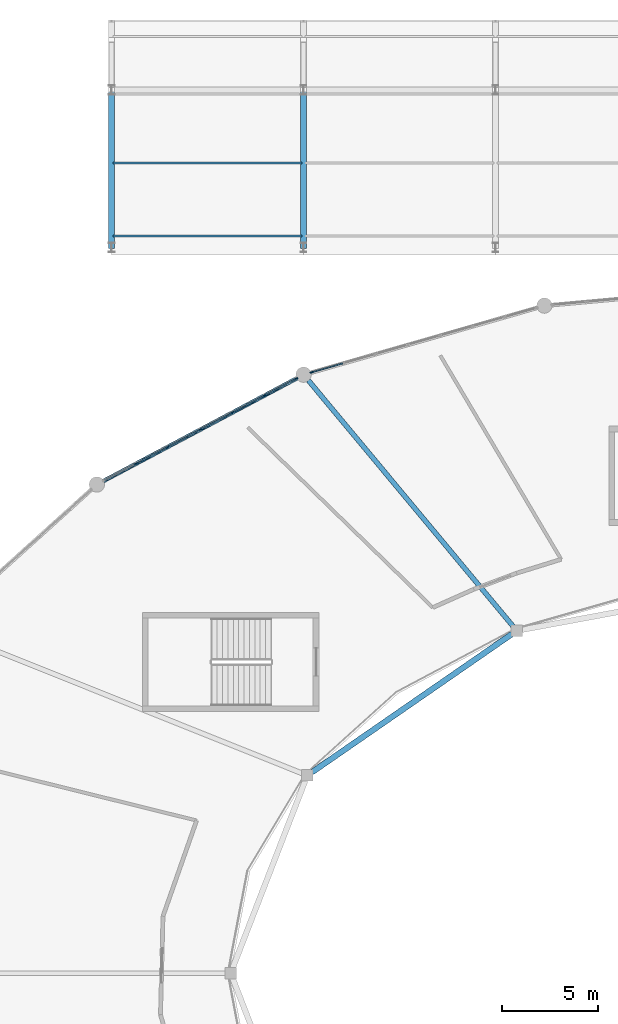
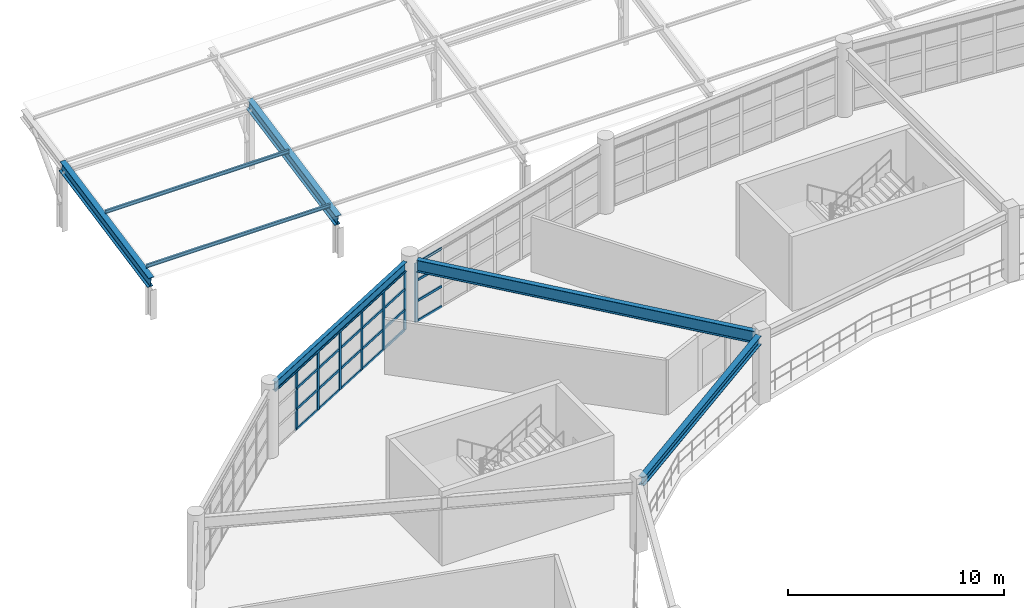
# One storey, part 36 of 100: 34 members, 5 beams, 2 elements without a shape of their own.
"""IFC4 building model written with IfcOpenShell, lengths in metres."""

import ifcopenshell
import ifcopenshell.guid

model = None  # the IFC model being written
_history = None  # IfcOwnerHistory: only IFC2X3 demands one
_inside = {}  # id of a spatial element -> (the spatial element, [elements in it])
_under = {}  # id of a project, library or spatial element -> (it, [spatial elements below it])
_declared = {}  # id of a project -> (the project, [libraries it declares])
_typed = {}  # id of a type object -> (the type object, [elements of that type])
_made_of = {}  # id of a material, layer set ... -> (it, [elements and type objects made of it])


def new_model(schema):
    """Start an empty IFC model of exactly this schema.

    Asked for "IFC4X3", IfcOpenShell would pick the latest addendum, in which some entities
    have other attributes; the version numbers below select the first issue.
    IFC2X3 requires an IfcOwnerHistory on every rooted entity: one is made here for all.
    """
    global model, _history
    if schema == "IFC4X3":
        model = ifcopenshell.file(schema_version=(4, 3, 0, 0))
    else:
        model = ifcopenshell.file(schema=schema)
    _inside.clear()
    _under.clear()
    _declared.clear()
    _typed.clear()
    _made_of.clear()
    _history = None
    if model.schema == "IFC2X3":
        org = make("IfcOrganization", Name="unknown")
        user = make(
            "IfcPersonAndOrganization",
            ThePerson=make("IfcPerson", FamilyName="unknown"),
            TheOrganization=org,
        )
        app = make(
            "IfcApplication",
            ApplicationDeveloper=org,
            Version="unknown",
            ApplicationFullName="unknown",
            ApplicationIdentifier="unknown",
        )
        _history = make(
            "IfcOwnerHistory",
            OwningUser=user,
            OwningApplication=app,
            ChangeAction="ADDED",
            CreationDate=0,
        )
    return model


def make(cls, **values):
    """One entity of the class cls with the attributes given. An attribute that is None is left unset."""
    return model.create_entity(
        cls, **{name: value for name, value in values.items() if value is not None}
    )


def rooted(cls, **values):
    """An entity with a GlobalId (a new one), such as an element, a storey or a relation."""
    return make(cls, GlobalId=ifcopenshell.guid.new(), OwnerHistory=_history, **values)


def si_unit(unit_type, name, prefix=None):
    """IfcSIUnit, for example si_unit("LENGTHUNIT", "METRE", prefix="MILLI")."""
    return make("IfcSIUnit", UnitType=unit_type, Prefix=prefix, Name=name)


def assignment(units):
    """IfcUnitAssignment: the units of a project."""
    return None if units is None else make("IfcUnitAssignment", Units=units)


def point(xyz):
    """IfcCartesianPoint."""
    return None if xyz is None else make("IfcCartesianPoint", Coordinates=xyz)


def direction(xyz):
    """IfcDirection."""
    return None if xyz is None else make("IfcDirection", DirectionRatios=xyz)


def frame(location, z_axis=None, x_axis=None):
    """IfcAxis2Placement3D, a coordinate frame: its origin and axes. An axis left out is left unset."""
    return make(
        "IfcAxis2Placement3D",
        Location=point(location),
        Axis=direction(z_axis),
        RefDirection=direction(x_axis),
    )


def frame_2d(location, x_axis=None):
    """IfcAxis2Placement2D, a coordinate frame in the plane: its origin and x axis."""
    return make(
        "IfcAxis2Placement2D", Location=point(location), RefDirection=direction(x_axis)
    )


def origin():
    """The frame at (0, 0, 0) with its axes left unset."""
    return frame((0.0, 0.0, 0.0))


def origin_2d():
    """The frame at (0, 0) in the plane with its x axis left unset."""
    return frame_2d((0.0, 0.0))


def place(relative_to, where):
    """IfcLocalPlacement: puts the frame where relative to a parent placement (None: the world)."""
    return make(
        "IfcLocalPlacement", PlacementRelTo=relative_to, RelativePlacement=where
    )


def context(
    kind, dimensions, precision=None, world=None, true_north=None, identifier=None
):
    """IfcGeometricRepresentationContext, for example the 3D "Model" context."""
    return make(
        "IfcGeometricRepresentationContext",
        ContextIdentifier=identifier,
        ContextType=kind,
        CoordinateSpaceDimension=dimensions,
        Precision=precision,
        WorldCoordinateSystem=world,
        TrueNorth=true_north,
    )


def subcontext(parent, identifier, kind, view, scale=None):
    """IfcGeometricRepresentationSubContext, for example "Body" below "Model"."""
    return make(
        "IfcGeometricRepresentationSubContext",
        ContextIdentifier=identifier,
        ContextType=kind,
        ParentContext=parent,
        TargetScale=scale,
        TargetView=view,
    )


def project(units=None, contexts=None):
    """IfcProject with its units and contexts."""
    return rooted(
        "IfcProject",
        Name="project",
        RepresentationContexts=contexts,
        UnitsInContext=assignment(units),
    )


def spatial(cls, under=None, at=None, **own):
    """A site, building, storey or space (cls), placed at a placement, below another one or the project."""
    s = rooted(cls, ObjectPlacement=at, **own)
    if under is not None:
        _under.setdefault(under.id(), (under, []))[1].append(s)
    return s


def profile(cls, at=None, kind="AREA", **sizes):
    """A parametric profile (cls). Its sizes go by their IFC names, for example OverallWidth=200.0."""
    return make(cls, ProfileType=kind, Position=at, **sizes)


def rectangle(**sizes):
    """IfcRectangleProfileDef."""
    return profile("IfcRectangleProfileDef", **sizes)


def i_section(**sizes):
    """IfcIShapeProfileDef."""
    return profile("IfcIShapeProfileDef", **sizes)


def extrude(swept, where, along, depth):
    """IfcExtrudedAreaSolid: the profile swept, set in the frame where, extruded along a direction by depth."""
    return make(
        "IfcExtrudedAreaSolid",
        SweptArea=swept,
        Position=where,
        ExtrudedDirection=direction(along),
        Depth=depth,
    )


def shape(context_of_items, identifier, shape_type, items):
    """IfcShapeRepresentation: the items that make up one representation, for example the "Body"."""
    return make(
        "IfcShapeRepresentation",
        ContextOfItems=context_of_items,
        RepresentationIdentifier=identifier,
        RepresentationType=shape_type,
        Items=items,
    )


def material(Name=None, Category=None):
    """IfcMaterial."""
    return make("IfcMaterial", Name=Name, Category=Category)


def layer(
    of_material, thickness, ventilated=None, Name=None, Category=None, Priority=None
):
    """IfcMaterialLayer: one layer of a wall or slab, of a material (None: an air gap)."""
    return make(
        "IfcMaterialLayer",
        Material=of_material,
        LayerThickness=thickness,
        IsVentilated=ventilated,
        Name=Name,
        Category=Category,
        Priority=Priority,
    )


def layer_set(layers, Name=None):
    """IfcMaterialLayerSet."""
    return make("IfcMaterialLayerSet", MaterialLayers=layers, LayerSetName=Name)


def material_profile(
    of_material, cross_section, Name=None, Category=None, Priority=None
):
    """IfcMaterialProfile: a cross section and its material."""
    return make(
        "IfcMaterialProfile",
        Name=Name,
        Material=of_material,
        Profile=cross_section,
        Priority=Priority,
        Category=Category,
    )


def profile_set(profiles, Name=None, composite=None):
    """IfcMaterialProfileSet."""
    return make(
        "IfcMaterialProfileSet",
        Name=Name,
        MaterialProfiles=profiles,
        CompositeProfile=composite,
    )


def made_of(thing, what):
    """Note that an element or type object is made of a material, layer set ...; save() writes the relation."""
    if what is not None:
        _made_of.setdefault(what.id(), (what, []))[1].append(thing)
    return thing


def type_object(cls, material=None, **own):
    """A type object (cls), such as IfcWallType, which elements share."""
    return made_of(rooted(cls, **own), material)


def element(
    cls,
    number,
    at=None,
    inside=None,
    cuts=None,
    type_object=None,
    material=None,
    context=None,
    identifier="Body",
    shape_type=None,
    held_by="IfcProductDefinitionShape",
    body=None,
    shapes=None,
    **own,
):
    """One element of the class cls, such as IfcWall. Its Tag is "e" and its number.

    at: its placement. inside: the storey or other place that contains it. cuts: it is an
    opening in that element (IfcRelVoidsElement). A single representation is given by context,
    identifier, shape_type and body (its items); several are given by shapes. held_by: the class
    of the entity that holds the representations. save() writes the other relations.
    """
    e = rooted(cls, Tag="e%d" % number, ObjectPlacement=at, **own)
    if body is not None:
        shapes = [shape(context, identifier, shape_type, body)]
    if shapes is not None:
        e.Representation = make(held_by, Representations=shapes)
    if inside is not None:
        _inside.setdefault(inside.id(), (inside, []))[1].append(e)
    if cuts is not None:
        rooted(
            "IfcRelVoidsElement", RelatingBuildingElement=cuts, RelatedOpeningElement=e
        )
    if type_object is not None:
        _typed.setdefault(type_object.id(), (type_object, []))[1].append(e)
    return made_of(e, material)


def aggregate(whole, parts):
    """IfcRelAggregates: a whole, such as a stair, and the parts it consists of."""
    return rooted("IfcRelAggregates", RelatingObject=whole, RelatedObjects=parts)


def save(model, path):
    """Write the relations noted so far, then the file.

    IfcRelAggregates (storeys below a building ...), IfcRelContainedInSpatialStructure (elements
    in a storey), IfcRelDefinesByType, IfcRelAssociatesMaterial and IfcRelDeclares: one each for
    every whole, place, type object, material and project.
    """
    for whole, parts in _under.values():
        aggregate(whole, parts)
    for where, things in _inside.values():
        rooted(
            "IfcRelContainedInSpatialStructure",
            RelatedElements=things,
            RelatingStructure=where,
        )
    for kind, things in _typed.values():
        rooted("IfcRelDefinesByType", RelatedObjects=things, RelatingType=kind)
    for what, things in _made_of.values():
        rooted("IfcRelAssociatesMaterial", RelatedObjects=things, RelatingMaterial=what)
    for by, libraries in _declared.values():
        rooted("IfcRelDeclares", RelatingContext=by, RelatedDefinitions=libraries)
    model.write(path)


model = new_model("IFC4")

# Units and contexts
model_context = context("Model", 3, precision=1e-05, world=origin(), true_north=direction((0.0, 1.0)))
body_context = subcontext(model_context, "Body", "Model", "MODEL_VIEW")
ifc_project = project(units=[si_unit("LENGTHUNIT", "METRE"), si_unit("AREAUNIT", "SQUARE_METRE"), si_unit("VOLUMEUNIT", "CUBIC_METRE"), si_unit("PLANEANGLEUNIT", "RADIAN"), si_unit("MASSUNIT", "GRAM", prefix="KILO")], contexts=[model_context])

# Site, building, storey
site_placement = place(None, origin())
site = spatial("IfcSite", under=ifc_project, at=site_placement, CompositionType="ELEMENT")
building_placement = place(site_placement, origin())
building = spatial("IfcBuilding", under=site, at=building_placement, Name="Kivolera Central Railway Station", CompositionType="ELEMENT")
storey_placement = place(building_placement, frame((0.0, 0.0, 5.39990234375)))
storey = spatial("IfcBuildingStorey", under=building, at=storey_placement, Name="L01", CompositionType="ELEMENT", Elevation=5.39990234375)

# Beams
ifc_material_1 = material(Name="Steel S355", Category="steel")
ifc_material_profile_1 = material_profile(ifc_material_1, i_section(OverallWidth=0.300048828125, OverallDepth=0.60009765625, WebThickness=0.015380859375, FlangeThickness=0.030029296875, FilletRadius=0.027099609375, at=origin_2d()), Name="HEB 600")
ifc_profile_set_1 = profile_set([ifc_material_profile_1], Name="Steel S355")
beam_type_1 = type_object("IfcBeamType", Name="BM-CAN-MAIN", PredefinedType="BEAM", material=ifc_profile_set_1)
for number, where, z_axis, x_axis, name in (
    (1, (28.0, 127.800048828125, 1.940185546875), (0.0, 0.98058292142, 0.196104906159), (-1.0, 0.0, 0.0), "Forecourt Canopy Main Back-Span Girder 1"),
    (2, (38.0, 127.800048828125, 1.940185546875), (0.0, 0.98058292142, 0.196104906159), (-1.0, 0.0, 0.0), "Forecourt Canopy Main Back-Span Girder 2"),
):
    element("IfcBeam", number, at=place(storey_placement, frame(where, z_axis=z_axis, x_axis=x_axis)), inside=storey, type_object=beam_type_1, Name=name, PredefinedType="BEAM", context=body_context, shape_type="SweptSolid", body=[
        extrude(i_section(OverallWidth=0.300048828125, OverallDepth=0.60009765625, WebThickness=0.015380859375, FlangeThickness=0.030029296875, FilletRadius=0.027099609375, at=origin_2d()), origin(), (0.0, 0.0, 1.0), 8.3623046875),
    ])
ifc_material_profile_2 = material_profile(ifc_material_1, i_section(OverallWidth=0.300048828125, OverallDepth=0.489990234375, WebThickness=0.011962890625, FlangeThickness=0.02294921875, FilletRadius=0.027099609375, at=origin_2d()), Name="HEA 500")
ifc_profile_set_2 = profile_set([ifc_material_profile_2], Name="Steel S355")
beam_type_2 = type_object("IfcBeamType", Name="BM-SHD-HEA500", PredefinedType="BEAM", material=ifc_profile_set_2)
beam_1_placement = place(storey_placement, frame((48.860107421875, 107.674072265625, 3.633056640625), z_axis=(-0.822617656818, -0.568594926719, 0.0), x_axis=(0.568594926719, -0.822617656818, 0.0)))
element("IfcBeam", 3, at=beam_1_placement, inside=storey, type_object=beam_type_2, Name="L01 Oval Inner Gallery Ring Beam 05", PredefinedType="BEAM", context=body_context, shape_type="SweptSolid", body=[
    extrude(i_section(OverallWidth=0.300048828125, OverallDepth=0.489990234375, WebThickness=0.011962890625, FlangeThickness=0.02294921875, FilletRadius=0.027099609375, at=origin_2d()), origin(), (0.0, 0.0, 1.0), 12.6767578125),
])
ifc_material_profile_3 = material_profile(ifc_material_1, i_section(OverallWidth=0.209228515625, OverallDepth=0.533203125, WebThickness=0.010009765625, FlangeThickness=0.015625, FilletRadius=0.0126953125, at=origin_2d()), Name="UB 533x210x92")
ifc_profile_set_3 = profile_set([ifc_material_profile_3], Name="Steel S355")
beam_type_3 = type_object("IfcBeamType", Name="BM-SHD-UB533", PredefinedType="BEAM", material=ifc_profile_set_3)
beam_2_placement = place(storey_placement, frame((37.656005859375, 120.993896484375, 3.611083984375), z_axis=(-0.883155588993, -0.469080169725, 0.0), x_axis=(0.469080169725, -0.883155588993, 0.0)))
element("IfcBeam", 4, at=beam_2_placement, inside=storey, type_object=beam_type_3, Name="L01 Oval Perimeter Ring Beam 09", PredefinedType="BEAM", context=body_context, shape_type="SweptSolid", body=[
    extrude(i_section(OverallWidth=0.209228515625, OverallDepth=0.533203125, WebThickness=0.010009765625, FlangeThickness=0.015625, FilletRadius=0.0126953125, at=origin_2d()), origin(), (0.0, 0.0, 1.0), 11.416015625),
])
ifc_material_profile_4 = material_profile(ifc_material_1, i_section(OverallWidth=0.253662109375, OverallDepth=0.68359375, WebThickness=0.012451171875, FlangeThickness=0.01904296875, FilletRadius=0.01513671875, at=origin_2d()), Name="UB 686x254x140")
ifc_profile_set_4 = profile_set([ifc_material_profile_4], Name="Steel S355")
beam_type_4 = type_object("IfcBeamType", Name="BM-SHD-UB686", PredefinedType="BEAM", material=ifc_profile_set_4)
beam_3_placement = place(storey_placement, frame((48.9130859375, 108.06396484375, 3.5361328125), z_axis=(-0.639708903431, 0.76861727724, 0.0), x_axis=(-0.76861727724, -0.639708903431, 0.0)))
element("IfcBeam", 5, at=beam_3_placement, inside=storey, type_object=beam_type_4, Name="L01 Oval Gallery Radial Girder 05", PredefinedType="BEAM", context=body_context, shape_type="SweptSolid", body=[
    extrude(i_section(OverallWidth=0.253662109375, OverallDepth=0.68359375, WebThickness=0.012451171875, FlangeThickness=0.01904296875, FilletRadius=0.01513671875, at=origin_2d()), origin(), (0.0, 0.0, 1.0), 16.670166015625),
])

# Curtain wall, member
ifc_material_2 = material(Name="Anodised aluminium", Category="aluminium")
ifc_layer_1 = layer(ifc_material_2, 0.179931640625, Name="Anodised aluminium")
ifc_layer_set_1 = layer_set([ifc_layer_1], Name="Anodised aluminium")
curtain_wall_type_1 = type_object("IfcCurtainWallType", Name="CW-SYS-10", PredefinedType="NOTDEFINED", material=ifc_layer_set_1)
curtain_wall_1_placement = place(storey_placement, origin())
curtain_wall_1 = element("IfcCurtainWall", 6, at=curtain_wall_1_placement, inside=storey, type_object=curtain_wall_type_1, Name="L01 Curtain Wall CW-L01-OVL-07", PredefinedType="NOTDEFINED")
ifc_material_profile_5 = material_profile(ifc_material_2, rectangle(XDim=0.070068359375, YDim=0.179931640625, at=origin_2d()), Name="ALU MULL 70x180")
ifc_profile_set_5 = profile_set([ifc_material_profile_5], Name="Anodised aluminium")
member_type_1 = type_object("IfcMemberType", Name="CWM-MUL-1", PredefinedType="MULLION", material=ifc_profile_set_5)
member_1_placement = place(storey_placement, frame((38.418701171875, 121.296630859375, -0.0048828125), z_axis=(0.0, 0.0, 1.0), x_axis=(-0.27569168989, 0.961246114232, 0.0)))
member_1 = element("IfcMember", 7, at=member_1_placement, type_object=member_type_1, Name="CW-10 mullion 1", PredefinedType="MULLION", context=body_context, shape_type="SweptSolid", body=[
    extrude(rectangle(XDim=0.070068359375, YDim=0.179931640625, at=origin_2d()), origin(), (0.0, 0.0, 1.0), 3.344970703125),
])

# Curtain wall, members
ifc_layer_2 = layer(ifc_material_2, 0.179931640625, Name="Anodised aluminium")
ifc_layer_set_2 = layer_set([ifc_layer_2], Name="Anodised aluminium")
curtain_wall_type_2 = type_object("IfcCurtainWallType", Name="CW-SYS-08", PredefinedType="NOTDEFINED", material=ifc_layer_set_2)
curtain_wall_2_placement = place(storey_placement, origin())
curtain_wall_2 = element("IfcCurtainWall", 8, at=curtain_wall_2_placement, inside=storey, type_object=curtain_wall_type_2, Name="L01 Curtain Wall CW-L01-OVL-08", PredefinedType="NOTDEFINED")
member_2_placement = place(storey_placement, frame((29.26025390625, 116.534912109375, -0.0048828125), z_axis=(0.0, 0.0, 1.0), x_axis=(-0.469052563023, 0.883170251493, 0.0)))
member_2 = element("IfcMember", 9, at=member_2_placement, type_object=member_type_1, Name="CW-08 mullion 2", PredefinedType="MULLION", context=body_context, shape_type="SweptSolid", body=[
    extrude(rectangle(XDim=0.070068359375, YDim=0.179931640625, at=origin_2d()), origin(), (0.0, 0.0, 1.0), 3.344970703125),
])
member_3_placement = place(storey_placement, frame((30.937744140625, 117.42578125, -0.0048828125), z_axis=(0.0, 0.0, 1.0), x_axis=(-0.469052563023, 0.883170251493, 0.0)))
member_3 = element("IfcMember", 10, at=member_3_placement, type_object=member_type_1, Name="CW-08 mullion 3", PredefinedType="MULLION", context=body_context, shape_type="SweptSolid", body=[
    extrude(rectangle(XDim=0.070068359375, YDim=0.179931640625, at=origin_2d()), origin(), (0.0, 0.0, 1.0), 3.344970703125),
])
member_4_placement = place(storey_placement, frame((32.614990234375, 118.31640625, -0.0048828125), z_axis=(0.0, 0.0, 1.0), x_axis=(-0.469052563023, 0.883170251493, 0.0)))
member_4 = element("IfcMember", 11, at=member_4_placement, type_object=member_type_1, Name="CW-08 mullion 4", PredefinedType="MULLION", context=body_context, shape_type="SweptSolid", body=[
    extrude(rectangle(XDim=0.070068359375, YDim=0.179931640625, at=origin_2d()), origin(), (0.0, 0.0, 1.0), 3.344970703125),
])
member_5_placement = place(storey_placement, frame((34.292236328125, 119.207275390625, -0.0048828125), z_axis=(0.0, 0.0, 1.0), x_axis=(-0.469052563023, 0.883170251493, 0.0)))
member_5 = element("IfcMember", 12, at=member_5_placement, type_object=member_type_1, Name="CW-08 mullion 5", PredefinedType="MULLION", context=body_context, shape_type="SweptSolid", body=[
    extrude(rectangle(XDim=0.070068359375, YDim=0.179931640625, at=origin_2d()), origin(), (0.0, 0.0, 1.0), 3.344970703125),
])
member_6_placement = place(storey_placement, frame((35.9697265625, 120.09814453125, -0.0048828125), z_axis=(0.0, 0.0, 1.0), x_axis=(-0.469052563023, 0.883170251493, 0.0)))
member_6 = element("IfcMember", 13, at=member_6_placement, type_object=member_type_1, Name="CW-08 mullion 6", PredefinedType="MULLION", context=body_context, shape_type="SweptSolid", body=[
    extrude(rectangle(XDim=0.070068359375, YDim=0.179931640625, at=origin_2d()), origin(), (0.0, 0.0, 1.0), 3.344970703125),
])
member_7_placement = place(storey_placement, frame((37.6162109375, 120.97265625, -0.0048828125), z_axis=(0.0, 0.0, 1.0), x_axis=(-0.469052563023, 0.883170251493, 0.0)))
member_7 = element("IfcMember", 14, at=member_7_placement, type_object=member_type_1, Name="CW-08 mullion 7", PredefinedType="MULLION", context=body_context, shape_type="SweptSolid", body=[
    extrude(rectangle(XDim=0.070068359375, YDim=0.179931640625, at=origin_2d()), origin(), (0.0, 0.0, 1.0), 3.344970703125),
])

# Member
ifc_material_profile_6 = material_profile(ifc_material_2, rectangle(XDim=0.070068359375, YDim=0.139892578125, at=origin_2d()), Name="ALU TRAN 70x140")
ifc_profile_set_6 = profile_set([ifc_material_profile_6], Name="Anodised aluminium")
member_type_2 = type_object("IfcMemberType", Name="CWM-TRN-1", PredefinedType="USERDEFINED", material=ifc_profile_set_6)
member_8_placement = place(storey_placement, frame((38.452392578125, 121.306396484375, 0.03515625), z_axis=(0.961277023143, 0.275583897892, 0.0), x_axis=(-0.275583897892, 0.961277023143, 0.0)))
member_8 = element("IfcMember", 15, at=member_8_placement, type_object=member_type_2, Name="CW-10 transom 1.1", ObjectType="TRANSOM", PredefinedType="USERDEFINED", context=body_context, shape_type="SweptSolid", body=[
    extrude(rectangle(XDim=0.070068359375, YDim=0.139892578125, at=origin_2d()), origin(), (0.0, 0.0, 1.0), 1.644287109375),
])

member_9_placement = place(storey_placement, frame((38.452392578125, 121.306396484375, 1.169189453125), z_axis=(0.961277023143, 0.275583897892, 0.0), x_axis=(-0.275583897892, 0.961277023143, 0.0)))
member_9 = element("IfcMember", 16, at=member_9_placement, type_object=member_type_2, Name="CW-10 transom 1.2", ObjectType="TRANSOM", PredefinedType="USERDEFINED", context=body_context, shape_type="SweptSolid", body=[
    extrude(rectangle(XDim=0.070068359375, YDim=0.139892578125, at=origin_2d()), origin(), (0.0, 0.0, 1.0), 1.644287109375),
])

member_10_placement = place(storey_placement, frame((38.452392578125, 121.306396484375, 2.338134765625), z_axis=(0.961277023143, 0.275583897892, 0.0), x_axis=(-0.275583897892, 0.961277023143, 0.0)))
member_10 = element("IfcMember", 17, at=member_10_placement, type_object=member_type_2, Name="CW-10 transom 1.3", ObjectType="TRANSOM", PredefinedType="USERDEFINED", context=body_context, shape_type="SweptSolid", body=[
    extrude(rectangle(XDim=0.070068359375, YDim=0.139892578125, at=origin_2d()), origin(), (0.0, 0.0, 1.0), 1.644287109375),
])

member_11_placement = place(storey_placement, frame((38.452392578125, 121.306396484375, 3.30517578125), z_axis=(0.961277023143, 0.275583897892, 0.0), x_axis=(-0.275583897892, 0.961277023143, 0.0)))
member_11 = element("IfcMember", 18, at=member_11_placement, type_object=member_type_2, Name="CW-10 transom 1.4", ObjectType="TRANSOM", PredefinedType="USERDEFINED", context=body_context, shape_type="SweptSolid", body=[
    extrude(rectangle(XDim=0.070068359375, YDim=0.139892578125, at=origin_2d()), origin(), (0.0, 0.0, 1.0), 1.644287109375),
])

aggregate(curtain_wall_1, [member_1, member_8, member_9, member_10, member_11])

member_12_placement = place(storey_placement, frame((27.644775390625, 115.6767578125, 3.30517578125), z_axis=(0.883191460259, 0.469012627255, 0.0), x_axis=(-0.469012627255, 0.883191460259, 0.0)))
member_12 = element("IfcMember", 19, at=member_12_placement, type_object=member_type_2, Name="CW-08 transom 1.4", ObjectType="TRANSOM", PredefinedType="USERDEFINED", context=body_context, shape_type="SweptSolid", body=[
    extrude(rectangle(XDim=0.070068359375, YDim=0.139892578125, at=origin_2d()), origin(), (0.0, 0.0, 1.0), 1.794189453125),
])

member_13_placement = place(storey_placement, frame((29.291259765625, 116.55126953125, 0.03515625), z_axis=(0.88318656257, 0.469021849913, 0.0), x_axis=(-0.469021849913, 0.88318656257, 0.0)))
member_13 = element("IfcMember", 20, at=member_13_placement, type_object=member_type_2, Name="CW-08 transom 2.1", ObjectType="TRANSOM", PredefinedType="USERDEFINED", context=body_context, shape_type="SweptSolid", body=[
    extrude(rectangle(XDim=0.070068359375, YDim=0.139892578125, at=origin_2d()), origin(), (0.0, 0.0, 1.0), 1.8291015625),
])

member_14_placement = place(storey_placement, frame((29.291259765625, 116.55126953125, 1.169189453125), z_axis=(0.88318656257, 0.469021849913, 0.0), x_axis=(-0.469021849913, 0.88318656257, 0.0)))
member_14 = element("IfcMember", 21, at=member_14_placement, type_object=member_type_2, Name="CW-08 transom 2.2", ObjectType="TRANSOM", PredefinedType="USERDEFINED", context=body_context, shape_type="SweptSolid", body=[
    extrude(rectangle(XDim=0.070068359375, YDim=0.139892578125, at=origin_2d()), origin(), (0.0, 0.0, 1.0), 1.8291015625),
])

member_15_placement = place(storey_placement, frame((29.291259765625, 116.55126953125, 2.338134765625), z_axis=(0.88318656257, 0.469021849913, 0.0), x_axis=(-0.469021849913, 0.88318656257, 0.0)))
member_15 = element("IfcMember", 22, at=member_15_placement, type_object=member_type_2, Name="CW-08 transom 2.3", ObjectType="TRANSOM", PredefinedType="USERDEFINED", context=body_context, shape_type="SweptSolid", body=[
    extrude(rectangle(XDim=0.070068359375, YDim=0.139892578125, at=origin_2d()), origin(), (0.0, 0.0, 1.0), 1.8291015625),
])

member_16_placement = place(storey_placement, frame((29.291259765625, 116.55126953125, 3.30517578125), z_axis=(0.88318656257, 0.469021849913, 0.0), x_axis=(-0.469021849913, 0.88318656257, 0.0)))
member_16 = element("IfcMember", 23, at=member_16_placement, type_object=member_type_2, Name="CW-08 transom 2.4", ObjectType="TRANSOM", PredefinedType="USERDEFINED", context=body_context, shape_type="SweptSolid", body=[
    extrude(rectangle(XDim=0.070068359375, YDim=0.139892578125, at=origin_2d()), origin(), (0.0, 0.0, 1.0), 1.8291015625),
])

member_17_placement = place(storey_placement, frame((30.968505859375, 117.442138671875, 0.03515625), z_axis=(0.88318656257, 0.469021849913, 0.0), x_axis=(-0.469021849913, 0.88318656257, 0.0)))
member_17 = element("IfcMember", 24, at=member_17_placement, type_object=member_type_2, Name="CW-08 transom 3.1", ObjectType="TRANSOM", PredefinedType="USERDEFINED", context=body_context, shape_type="SweptSolid", body=[
    extrude(rectangle(XDim=0.070068359375, YDim=0.139892578125, at=origin_2d()), origin(), (0.0, 0.0, 1.0), 1.8291015625),
])

member_18_placement = place(storey_placement, frame((30.968505859375, 117.442138671875, 1.169189453125), z_axis=(0.88318656257, 0.469021849913, 0.0), x_axis=(-0.469021849913, 0.88318656257, 0.0)))
member_18 = element("IfcMember", 25, at=member_18_placement, type_object=member_type_2, Name="CW-08 transom 3.2", ObjectType="TRANSOM", PredefinedType="USERDEFINED", context=body_context, shape_type="SweptSolid", body=[
    extrude(rectangle(XDim=0.070068359375, YDim=0.139892578125, at=origin_2d()), origin(), (0.0, 0.0, 1.0), 1.8291015625),
])

member_19_placement = place(storey_placement, frame((30.968505859375, 117.442138671875, 2.338134765625), z_axis=(0.88318656257, 0.469021849913, 0.0), x_axis=(-0.469021849913, 0.88318656257, 0.0)))
member_19 = element("IfcMember", 26, at=member_19_placement, type_object=member_type_2, Name="CW-08 transom 3.3", ObjectType="TRANSOM", PredefinedType="USERDEFINED", context=body_context, shape_type="SweptSolid", body=[
    extrude(rectangle(XDim=0.070068359375, YDim=0.139892578125, at=origin_2d()), origin(), (0.0, 0.0, 1.0), 1.8291015625),
])

member_20_placement = place(storey_placement, frame((30.968505859375, 117.442138671875, 3.30517578125), z_axis=(0.88318656257, 0.469021849913, 0.0), x_axis=(-0.469021849913, 0.88318656257, 0.0)))
member_20 = element("IfcMember", 27, at=member_20_placement, type_object=member_type_2, Name="CW-08 transom 3.4", ObjectType="TRANSOM", PredefinedType="USERDEFINED", context=body_context, shape_type="SweptSolid", body=[
    extrude(rectangle(XDim=0.070068359375, YDim=0.139892578125, at=origin_2d()), origin(), (0.0, 0.0, 1.0), 1.8291015625),
])

member_21_placement = place(storey_placement, frame((32.64599609375, 118.3330078125, 0.03515625), z_axis=(0.88318656257, 0.469021849913, 0.0), x_axis=(-0.469021849913, 0.88318656257, 0.0)))
member_21 = element("IfcMember", 28, at=member_21_placement, type_object=member_type_2, Name="CW-08 transom 4.1", ObjectType="TRANSOM", PredefinedType="USERDEFINED", context=body_context, shape_type="SweptSolid", body=[
    extrude(rectangle(XDim=0.070068359375, YDim=0.139892578125, at=origin_2d()), origin(), (0.0, 0.0, 1.0), 1.8291015625),
])

member_22_placement = place(storey_placement, frame((32.64599609375, 118.3330078125, 1.169189453125), z_axis=(0.88318656257, 0.469021849913, 0.0), x_axis=(-0.469021849913, 0.88318656257, 0.0)))
member_22 = element("IfcMember", 29, at=member_22_placement, type_object=member_type_2, Name="CW-08 transom 4.2", ObjectType="TRANSOM", PredefinedType="USERDEFINED", context=body_context, shape_type="SweptSolid", body=[
    extrude(rectangle(XDim=0.070068359375, YDim=0.139892578125, at=origin_2d()), origin(), (0.0, 0.0, 1.0), 1.8291015625),
])

member_23_placement = place(storey_placement, frame((32.64599609375, 118.3330078125, 2.338134765625), z_axis=(0.88318656257, 0.469021849913, 0.0), x_axis=(-0.469021849913, 0.88318656257, 0.0)))
member_23 = element("IfcMember", 30, at=member_23_placement, type_object=member_type_2, Name="CW-08 transom 4.3", ObjectType="TRANSOM", PredefinedType="USERDEFINED", context=body_context, shape_type="SweptSolid", body=[
    extrude(rectangle(XDim=0.070068359375, YDim=0.139892578125, at=origin_2d()), origin(), (0.0, 0.0, 1.0), 1.8291015625),
])

member_24_placement = place(storey_placement, frame((32.64599609375, 118.3330078125, 3.30517578125), z_axis=(0.88318656257, 0.469021849913, 0.0), x_axis=(-0.469021849913, 0.88318656257, 0.0)))
member_24 = element("IfcMember", 31, at=member_24_placement, type_object=member_type_2, Name="CW-08 transom 4.4", ObjectType="TRANSOM", PredefinedType="USERDEFINED", context=body_context, shape_type="SweptSolid", body=[
    extrude(rectangle(XDim=0.070068359375, YDim=0.139892578125, at=origin_2d()), origin(), (0.0, 0.0, 1.0), 1.8291015625),
])

member_25_placement = place(storey_placement, frame((34.3232421875, 119.2236328125, 0.03515625), z_axis=(0.883131271136, 0.469125951042, 0.0), x_axis=(-0.469125951042, 0.883131271136, 0.0)))
member_25 = element("IfcMember", 32, at=member_25_placement, type_object=member_type_2, Name="CW-08 transom 5.1", ObjectType="TRANSOM", PredefinedType="USERDEFINED", context=body_context, shape_type="SweptSolid", body=[
    extrude(rectangle(XDim=0.070068359375, YDim=0.139892578125, at=origin_2d()), origin(), (0.0, 0.0, 1.0), 1.829345703125),
])

member_26_placement = place(storey_placement, frame((34.3232421875, 119.2236328125, 1.169189453125), z_axis=(0.883131271136, 0.469125951042, 0.0), x_axis=(-0.469125951042, 0.883131271136, 0.0)))
member_26 = element("IfcMember", 33, at=member_26_placement, type_object=member_type_2, Name="CW-08 transom 5.2", ObjectType="TRANSOM", PredefinedType="USERDEFINED", context=body_context, shape_type="SweptSolid", body=[
    extrude(rectangle(XDim=0.070068359375, YDim=0.139892578125, at=origin_2d()), origin(), (0.0, 0.0, 1.0), 1.829345703125),
])

member_27_placement = place(storey_placement, frame((34.3232421875, 119.2236328125, 2.338134765625), z_axis=(0.883131271136, 0.469125951042, 0.0), x_axis=(-0.469125951042, 0.883131271136, 0.0)))
member_27 = element("IfcMember", 34, at=member_27_placement, type_object=member_type_2, Name="CW-08 transom 5.3", ObjectType="TRANSOM", PredefinedType="USERDEFINED", context=body_context, shape_type="SweptSolid", body=[
    extrude(rectangle(XDim=0.070068359375, YDim=0.139892578125, at=origin_2d()), origin(), (0.0, 0.0, 1.0), 1.829345703125),
])

member_28_placement = place(storey_placement, frame((34.3232421875, 119.2236328125, 3.30517578125), z_axis=(0.883131271136, 0.469125951042, 0.0), x_axis=(-0.469125951042, 0.883131271136, 0.0)))
member_28 = element("IfcMember", 35, at=member_28_placement, type_object=member_type_2, Name="CW-08 transom 5.4", ObjectType="TRANSOM", PredefinedType="USERDEFINED", context=body_context, shape_type="SweptSolid", body=[
    extrude(rectangle(XDim=0.070068359375, YDim=0.139892578125, at=origin_2d()), origin(), (0.0, 0.0, 1.0), 1.829345703125),
])

member_29_placement = place(storey_placement, frame((36.00048828125, 120.114501953125, 0.03515625), z_axis=(0.883191460259, 0.469012627255, 0.0), x_axis=(-0.469012627255, 0.883191460259, 0.0)))
member_29 = element("IfcMember", 36, at=member_29_placement, type_object=member_type_2, Name="CW-08 transom 6.1", ObjectType="TRANSOM", PredefinedType="USERDEFINED", context=body_context, shape_type="SweptSolid", body=[
    extrude(rectangle(XDim=0.070068359375, YDim=0.139892578125, at=origin_2d()), origin(), (0.0, 0.0, 1.0), 1.794189453125),
])

member_30_placement = place(storey_placement, frame((36.00048828125, 120.114501953125, 1.169189453125), z_axis=(0.883191460259, 0.469012627255, 0.0), x_axis=(-0.469012627255, 0.883191460259, 0.0)))
member_30 = element("IfcMember", 37, at=member_30_placement, type_object=member_type_2, Name="CW-08 transom 6.2", ObjectType="TRANSOM", PredefinedType="USERDEFINED", context=body_context, shape_type="SweptSolid", body=[
    extrude(rectangle(XDim=0.070068359375, YDim=0.139892578125, at=origin_2d()), origin(), (0.0, 0.0, 1.0), 1.794189453125),
])

member_31_placement = place(storey_placement, frame((36.00048828125, 120.114501953125, 2.338134765625), z_axis=(0.883191460259, 0.469012627255, 0.0), x_axis=(-0.469012627255, 0.883191460259, 0.0)))
member_31 = element("IfcMember", 38, at=member_31_placement, type_object=member_type_2, Name="CW-08 transom 6.3", ObjectType="TRANSOM", PredefinedType="USERDEFINED", context=body_context, shape_type="SweptSolid", body=[
    extrude(rectangle(XDim=0.070068359375, YDim=0.139892578125, at=origin_2d()), origin(), (0.0, 0.0, 1.0), 1.794189453125),
])

member_32_placement = place(storey_placement, frame((36.00048828125, 120.114501953125, 3.30517578125), z_axis=(0.883191460259, 0.469012627255, 0.0), x_axis=(-0.469012627255, 0.883191460259, 0.0)))
member_32 = element("IfcMember", 39, at=member_32_placement, type_object=member_type_2, Name="CW-08 transom 6.4", ObjectType="TRANSOM", PredefinedType="USERDEFINED", context=body_context, shape_type="SweptSolid", body=[
    extrude(rectangle(XDim=0.070068359375, YDim=0.139892578125, at=origin_2d()), origin(), (0.0, 0.0, 1.0), 1.794189453125),
])

aggregate(curtain_wall_2, [member_2, member_3, member_4, member_5, member_6, member_7, member_12, member_13, member_14, member_15, member_16, member_17, member_18, member_19, member_20, member_21, member_22, member_23, member_24, member_25, member_26, member_27, member_28, member_29, member_30, member_31, member_32])

# Members
ifc_material_profile_7 = material_profile(ifc_material_1, i_section(OverallWidth=0.10009765625, OverallDepth=0.199951171875, WebThickness=0.005615234375, FlangeThickness=0.008544921875, FilletRadius=0.011962890625, at=origin_2d()), Name="IPE 200")
ifc_profile_set_7 = profile_set([ifc_material_profile_7], Name="Steel S355")
member_type_3 = type_object("IfcMemberType", Name="MEM-PUR-IPE200", PredefinedType="PURLIN", material=ifc_profile_set_7)
for number, where, z_axis, x_axis, name in (
    (40, (28.080078125, 128.39990234375, 2.4521484375), (1.0, 0.0, 0.0), (0.0, 1.0, 0.0), "Forecourt Canopy Purlin 28-1"),
    (41, (28.080078125, 132.199951171875, 3.212158203125), (1.0, 0.0, 0.0), (0.0, 1.0, 0.0), "Forecourt Canopy Purlin 28-2"),
):
    element("IfcMember", number, at=place(storey_placement, frame(where, z_axis=z_axis, x_axis=x_axis)), inside=storey, type_object=member_type_3, Name=name, PredefinedType="PURLIN", context=body_context, shape_type="SweptSolid", body=[
        extrude(i_section(OverallWidth=0.10009765625, OverallDepth=0.199951171875, WebThickness=0.005615234375, FlangeThickness=0.008544921875, FilletRadius=0.011962890625, at=origin_2d()), origin(), (0.0, 0.0, 1.0), 9.83984375),
    ])

save(model, "model.ifc")
